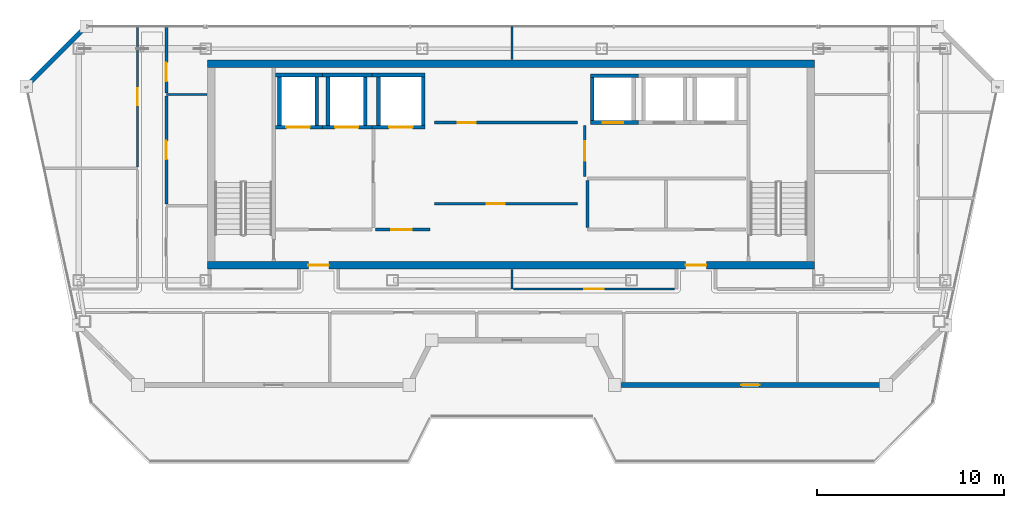
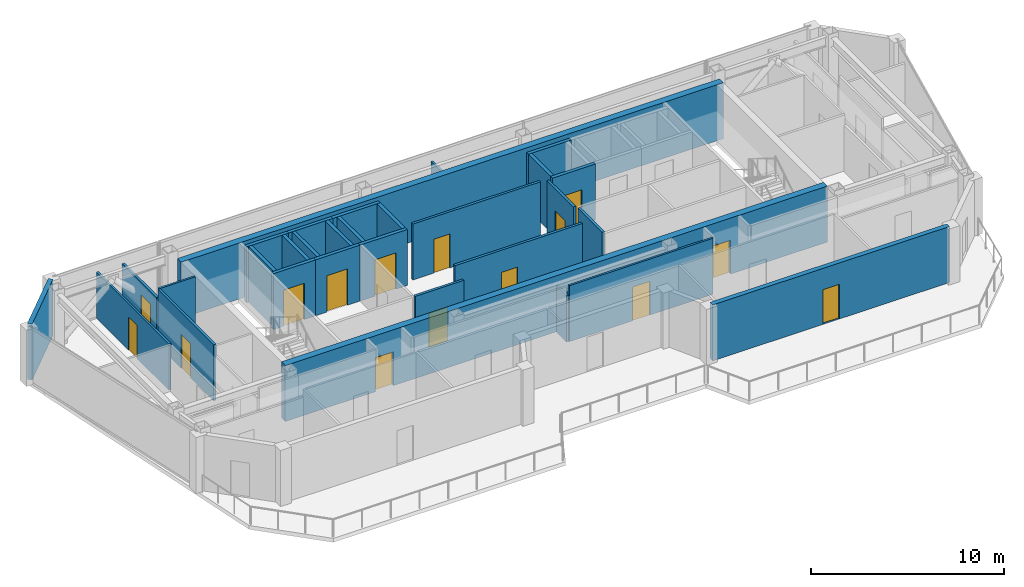
# One storey, part 12 of 17: 31 walls, 15 doors, 15 openings.
"""IFC4 building model written with IfcOpenShell, lengths in metres."""

from ifc_helpers import new_model, si_unit, direction, frame, frame_2d, origin, place, context, subcontext, project, spatial, rectangle, extrude, material, layer, layer_set, type_object, element, fill, save


model = new_model("IFC4")

# Units and contexts
model_context = context("Model", 3, precision=1e-05, world=origin(), true_north=direction((0.0, 1.0)))
body_context = subcontext(model_context, "Body", "Model", "MODEL_VIEW")
ifc_project = project(units=[si_unit("LENGTHUNIT", "METRE"), si_unit("AREAUNIT", "SQUARE_METRE"), si_unit("VOLUMEUNIT", "CUBIC_METRE"), si_unit("PLANEANGLEUNIT", "RADIAN"), si_unit("MASSUNIT", "GRAM", prefix="KILO")], contexts=[model_context])

# Site, building, storey
site_placement = place(None, origin())
site = spatial("IfcSite", under=ifc_project, at=site_placement, CompositionType="ELEMENT")
building_placement = place(site_placement, origin())
building = spatial("IfcBuilding", under=site, at=building_placement, Name="Saevonmaru Cultural Tower", CompositionType="ELEMENT")
storey_placement = place(building_placement, frame((0.0, 0.0, 310.39990234375)))
storey = spatial("IfcBuildingStorey", under=building, at=storey_placement, Name="L74", CompositionType="ELEMENT", Elevation=310.39990234375)

# Wall, openings, doors
ifc_material_1 = material(Name="Concrete C50/60", Category="concrete")
ifc_layer_1 = layer(ifc_material_1, 0.39990234375, Name="Concrete C50/60")
ifc_layer_set_1 = layer_set([ifc_layer_1], Name="Concrete C50/60")
wall_type_1 = type_object("IfcWallType", Name="WL-CORE-400", PredefinedType="SHEAR", material=ifc_layer_set_1)
wall_1_placement = place(storey_placement, frame((13.699951171875, 43.199951171875, 0.0), z_axis=(0.0, 0.0, 1.0), x_axis=(1.0, 0.0, 0.0)))
wall_1 = element("IfcWall", 1, at=wall_1_placement, inside=storey, type_object=wall_type_1, Name="L74 Tower RC core shear wall S", PredefinedType="SHEAR", context=body_context, shape_type="SweptSolid", body=[
    extrude(rectangle(XDim=32.5, YDim=0.39990234375, at=frame_2d((16.25, 0.0))), origin(), (0.0, 0.0, 1.0), 3.550048828125),
])
opening_1_placement = place(wall_1_placement, frame((5.39990234375, 0.0, 0.0)))
opening_1 = element("IfcOpeningElement", 2, at=opening_1_placement, cuts=wall_1, Name="Opening FD-2", PredefinedType="OPENING", context=body_context, shape_type="SweptSolid", body=[
    extrude(rectangle(XDim=1.10009765625, YDim=2.14990234375, at=frame_2d((0.550048828125, 1.074951171875))), frame((0.0, 0.2099609375, 0.0), z_axis=(0.0, -1.0, 0.0), x_axis=(1.0, 0.0, 0.0)), (0.0, 0.0, 1.0), 0.419921875),
])
opening_2_placement = place(wall_1_placement, frame((25.60009765625, 0.0, 0.0)))
opening_2 = element("IfcOpeningElement", 3, at=opening_2_placement, cuts=wall_1, Name="Opening FD-2", PredefinedType="OPENING", context=body_context, shape_type="SweptSolid", body=[
    extrude(rectangle(XDim=1.10009765625, YDim=2.14990234375, at=frame_2d((0.550048828125, 1.074951171875))), frame((0.0, 0.2099609375, 0.0), z_axis=(0.0, -1.0, 0.0), x_axis=(1.0, 0.0, 0.0)), (0.0, 0.0, 1.0), 0.419921875),
])
ifc_material_2 = material(Name="Satin Bronze Anodised Aluminium", Category="aluminium")
door_type_1 = type_object("IfcDoorType", Name="DR-FD60-1100", OperationType="SINGLE_SWING_LEFT", PredefinedType="DOOR", material=ifc_material_2)
door_1_placement = place(opening_1_placement, origin())
door_1 = element("IfcDoor", 4, at=door_1_placement, inside=storey, type_object=door_type_1, Name="L74 Core West Lobby Fire Door", OperationType="SINGLE_SWING_LEFT", OverallHeight=2.14990234375, OverallWidth=1.10009765625, PredefinedType="DOOR", context=body_context, shape_type="SweptSolid", body=[
    extrude(rectangle(XDim=1.10009765625, YDim=2.14990234375, at=frame_2d((0.550048828125, 1.074951171875))), frame((0.0, 0.02490234375, 0.0), z_axis=(0.0, -1.0, 0.0), x_axis=(1.0, 0.0, 0.0)), (0.0, 0.0, 1.0), 0.050048828125),
])
fill(opening_1, door_1)
door_2_placement = place(opening_2_placement, origin())
door_2 = element("IfcDoor", 5, at=door_2_placement, inside=storey, type_object=door_type_1, Name="L74 Core East Lobby Fire Door", OperationType="SINGLE_SWING_LEFT", OverallHeight=2.14990234375, OverallWidth=1.10009765625, PredefinedType="DOOR", context=body_context, shape_type="SweptSolid", body=[
    extrude(rectangle(XDim=1.10009765625, YDim=2.14990234375, at=frame_2d((0.550048828125, 1.074951171875))), frame((0.0, 0.02490234375, 0.0), z_axis=(0.0, -1.0, 0.0), x_axis=(1.0, 0.0, 0.0)), (0.0, 0.0, 1.0), 0.050048828125),
])
fill(opening_2, door_2)

# Wall
wall_2_placement = place(storey_placement, frame((13.699951171875, 54.0, 0.0), z_axis=(0.0, 0.0, 1.0), x_axis=(1.0, 0.0, 0.0)))
element("IfcWall", 6, at=wall_2_placement, inside=storey, type_object=wall_type_1, Name="L74 Tower RC core shear wall N", PredefinedType="SHEAR", context=body_context, shape_type="SweptSolid", body=[
    extrude(rectangle(XDim=32.5, YDim=0.39990234375, at=frame_2d((16.25, 0.0))), origin(), (0.0, 0.0, 1.0), 3.550048828125),
])

# Wall, opening, door
ifc_material_3 = material(Name="Gypsum Fireboard Partition", Category="gypsum")
ifc_layer_2 = layer(ifc_material_3, 0.14990234375, Name="Gypsum Fireboard Partition")
ifc_layer_set_2 = layer_set([ifc_layer_2], Name="Gypsum Fireboard Partition")
wall_type_2 = type_object("IfcWallType", Name="WL-CORE-PART-150", PredefinedType="PARTITIONING", material=ifc_layer_set_2)
wall_3_placement = place(storey_placement, frame((22.679931640625, 45.1201171875, 0.0), z_axis=(0.0, 0.0, 1.0), x_axis=(1.0, 0.0, 0.0)))
wall_3 = element("IfcWall", 7, at=wall_3_placement, inside=storey, type_object=wall_type_2, Name="L74 Service Lift Vestibule Wall", PredefinedType="PARTITIONING", context=body_context, shape_type="SweptSolid", body=[
    extrude(rectangle(XDim=2.920166015625, YDim=0.14990234375, at=frame_2d((1.4599609375, 0.0))), origin(), (0.0, 0.0, 1.0), 3.550048828125),
])
opening_3_placement = place(wall_3_placement, frame((0.85009765625, 0.0, 0.0)))
opening_3 = element("IfcOpeningElement", 8, at=opening_3_placement, cuts=wall_3, Name="Opening FD-2", PredefinedType="OPENING", context=body_context, shape_type="SweptSolid", body=[
    extrude(rectangle(XDim=1.10009765625, YDim=2.14990234375, at=frame_2d((0.550048828125, 1.074951171875))), frame((0.0, 0.0849609375, 0.0), z_axis=(0.0, -1.0, 0.0), x_axis=(1.0, 0.0, 0.0)), (0.0, 0.0, 1.0), 0.169921875),
])
door_3_placement = place(opening_3_placement, origin())
door_3 = element("IfcDoor", 9, at=door_3_placement, inside=storey, type_object=door_type_1, Name="L74 Service Lift Vestibule Door", OperationType="SINGLE_SWING_LEFT", OverallHeight=2.14990234375, OverallWidth=1.10009765625, PredefinedType="DOOR", context=body_context, shape_type="SweptSolid", body=[
    extrude(rectangle(XDim=1.10009765625, YDim=2.14990234375, at=frame_2d((0.550048828125, 1.074951171875))), frame((0.0, 0.02490234375, 0.0), z_axis=(0.0, -1.0, 0.0), x_axis=(1.0, 0.0, 0.0)), (0.0, 0.0, 1.0), 0.050048828125),
])
fill(opening_3, door_3)

wall_4_placement = place(storey_placement, frame((33.89990234375, 47.949951171875, 0.0), z_axis=(0.0, 0.0, 1.0), x_axis=(0.0, 1.0, 0.0)))
wall_4 = element("IfcWall", 10, at=wall_4_placement, inside=storey, type_object=wall_type_2, Name="L74 Zone Lobby Divider", PredefinedType="PARTITIONING", context=body_context, shape_type="SweptSolid", body=[
    extrude(rectangle(XDim=2.75, YDim=0.14990234375, at=frame_2d((1.375, 0.0))), origin(), (0.0, 0.0, 1.0), 3.550048828125),
])
opening_4_placement = place(wall_4_placement, frame((0.85009765625, 0.0, 0.0)))
opening_4 = element("IfcOpeningElement", 11, at=opening_4_placement, cuts=wall_4, Name="Opening ID-1", PredefinedType="OPENING", context=body_context, shape_type="SweptSolid", body=[
    extrude(rectangle(XDim=1.050048828125, YDim=2.14990234375, at=frame_2d((0.52490234375, 1.074951171875))), frame((0.0, 0.0849609375, 0.0), z_axis=(0.0, -1.0, 0.0), x_axis=(1.0, 0.0, 0.0)), (0.0, 0.0, 1.0), 0.169921875),
])
door_type_2 = type_object("IfcDoorType", Name="DR-INT-1050", OperationType="SINGLE_SWING_LEFT", PredefinedType="DOOR", material=ifc_material_2)
door_4_placement = place(opening_4_placement, origin())
door_4 = element("IfcDoor", 12, at=door_4_placement, inside=storey, type_object=door_type_2, Name="L74 Inter-Lobby Link Door", OperationType="SINGLE_SWING_LEFT", OverallHeight=2.14990234375, OverallWidth=1.050048828125, PredefinedType="DOOR", context=body_context, shape_type="SweptSolid", body=[
    extrude(rectangle(XDim=1.050048828125, YDim=2.14990234375, at=frame_2d((0.52490234375, 1.074951171875))), frame((0.0, 0.02490234375, 0.0), z_axis=(0.0, -1.0, 0.0), x_axis=(1.0, 0.0, 0.0)), (0.0, 0.0, 1.0), 0.050048828125),
])
fill(opening_4, door_4)

# Wall
wall_5_placement = place(storey_placement, frame((34.050048828125, 45.219970703125, 0.0), z_axis=(0.0, 0.0, 1.0), x_axis=(0.0, 1.0, 0.0)))
element("IfcWall", 13, at=wall_5_placement, inside=storey, type_object=wall_type_2, Name="L74 Core Plant West Wall", PredefinedType="PARTITIONING", context=body_context, shape_type="SweptSolid", body=[
    extrude(rectangle(XDim=2.530029296875, YDim=0.14990234375, at=frame_2d((1.26513671875, 0.0))), origin(), (0.0, 0.0, 1.0), 3.550048828125),
])

# Wall, opening, door
wall_6_placement = place(storey_placement, frame((25.85009765625, 50.85009765625, 0.0), z_axis=(0.0, 0.0, 1.0), x_axis=(1.0, 0.0, 0.0)))
wall_6 = element("IfcWall", 14, at=wall_6_placement, inside=storey, type_object=wall_type_2, Name="L74 Reclaimed Core Room South Wall", PredefinedType="PARTITIONING", context=body_context, shape_type="SweptSolid", body=[
    extrude(rectangle(XDim=7.64990234375, YDim=0.14990234375, at=frame_2d((3.824951171875, 0.0))), origin(), (0.0, 0.0, 1.0), 3.550048828125),
])
opening_5_placement = place(wall_6_placement, frame((1.25, 0.0, 0.0)))
opening_5 = element("IfcOpeningElement", 15, at=opening_5_placement, cuts=wall_6, Name="Opening FD-4", PredefinedType="OPENING", context=body_context, shape_type="SweptSolid", body=[
    extrude(rectangle(XDim=0.949951171875, YDim=2.14990234375, at=frame_2d((0.47509765625, 1.074951171875))), frame((0.0, 0.0849609375, 0.0), z_axis=(0.0, -1.0, 0.0), x_axis=(1.0, 0.0, 0.0)), (0.0, 0.0, 1.0), 0.169921875),
])
door_type_3 = type_object("IfcDoorType", Name="DR-FD60-950", OperationType="SINGLE_SWING_LEFT", PredefinedType="DOOR", material=ifc_material_2)
door_5_placement = place(opening_5_placement, origin())
door_5 = element("IfcDoor", 16, at=door_5_placement, inside=storey, type_object=door_type_3, Name="L74 Reclaimed Archive Vault Door", OperationType="SINGLE_SWING_LEFT", OverallHeight=2.14990234375, OverallWidth=0.949951171875, PredefinedType="DOOR", context=body_context, shape_type="SweptSolid", body=[
    extrude(rectangle(XDim=0.949951171875, YDim=2.14990234375, at=frame_2d((0.47509765625, 1.074951171875))), frame((0.0, 0.02490234375, 0.0), z_axis=(0.0, -1.0, 0.0), x_axis=(1.0, 0.0, 0.0)), (0.0, 0.0, 1.0), 0.050048828125),
])
fill(opening_5, door_5)

wall_7_placement = place(storey_placement, frame((25.85009765625, 46.5, 0.0), z_axis=(0.0, 0.0, 1.0), x_axis=(1.0, 0.0, 0.0)))
wall_7 = element("IfcWall", 17, at=wall_7_placement, inside=storey, type_object=wall_type_2, Name="L74 Reclaimed Mid-Shaft Wall", PredefinedType="PARTITIONING", context=body_context, shape_type="SweptSolid", body=[
    extrude(rectangle(XDim=7.64990234375, YDim=0.14990234375, at=frame_2d((3.824951171875, 0.0))), origin(), (0.0, 0.0, 1.0), 3.550048828125),
])
opening_6_placement = place(wall_7_placement, frame((2.800048828125, 0.0, 0.0)))
opening_6 = element("IfcOpeningElement", 18, at=opening_6_placement, cuts=wall_7, Name="Opening FD-4", PredefinedType="OPENING", context=body_context, shape_type="SweptSolid", body=[
    extrude(rectangle(XDim=0.949951171875, YDim=2.14990234375, at=frame_2d((0.47509765625, 1.074951171875))), frame((0.0, 0.0849609375, 0.0), z_axis=(0.0, -1.0, 0.0), x_axis=(1.0, 0.0, 0.0)), (0.0, 0.0, 1.0), 0.169921875),
])
door_6_placement = place(opening_6_placement, origin())
door_6 = element("IfcDoor", 19, at=door_6_placement, inside=storey, type_object=door_type_3, Name="L74 Reclaimed Manuscript Storage Door", OperationType="SINGLE_SWING_LEFT", OverallHeight=2.14990234375, OverallWidth=0.949951171875, PredefinedType="DOOR", context=body_context, shape_type="SweptSolid", body=[
    extrude(rectangle(XDim=0.949951171875, YDim=2.14990234375, at=frame_2d((0.47509765625, 1.074951171875))), frame((0.0, 0.02490234375, 0.0), z_axis=(0.0, -1.0, 0.0), x_axis=(1.0, 0.0, 0.0)), (0.0, 0.0, 1.0), 0.050048828125),
])
fill(opening_6, door_6)

# Wall
ifc_material_4 = material(Name="Granite-Clad Precast Concrete C40/50", Category="masonry")
ifc_layer_3 = layer(ifc_material_4, 0.260009765625, Name="Granite-Clad Precast Concrete C40/50")
ifc_layer_set_3 = layer_set([ifc_layer_3], Name="Granite-Clad Precast Concrete C40/50")
wall_type_3 = type_object("IfcWallType", Name="WL-EXT-SPANDREL-260", PredefinedType="STANDARD", material=ifc_layer_set_3)
wall_8_placement = place(storey_placement, frame((7.0869140625, 55.886962890625, 0.0), z_axis=(0.0, 0.0, 1.0), x_axis=(-0.707106781187, -0.707106781187, 0.0)))
element("IfcWall", 20, at=wall_8_placement, inside=storey, type_object=wall_type_3, Name="L74 Chamfer Corner Spandrel Wall E11", PredefinedType="STANDARD", context=body_context, shape_type="SweptSolid", body=[
    extrude(rectangle(XDim=4.205810546875, YDim=0.260009765625, at=frame_2d((2.10302734375, 0.0))), origin(), (0.0, 0.0, 1.0), 3.550048828125),
])

# Wall, opening, door
ifc_layer_4 = layer(ifc_material_4, 0.280029296875, Name="Granite-Clad Precast Concrete C40/50")
ifc_layer_set_4 = layer_set([ifc_layer_4], Name="Granite-Clad Precast Concrete C40/50")
wall_type_4 = type_object("IfcWallType", Name="WL-EXT-SPANDREL-280", PredefinedType="STANDARD", material=ifc_layer_set_4)
wall_9_placement = place(storey_placement, frame((35.659912109375, 36.800048828125, 0.0), z_axis=(0.0, 0.0, 1.0), x_axis=(1.0, 0.0, 0.0)))
wall_9 = element("IfcWall", 21, at=wall_9_placement, inside=storey, type_object=wall_type_4, Name="L74 Setback Terrace Portal Wall E6", PredefinedType="STANDARD", context=body_context, shape_type="SweptSolid", body=[
    extrude(rectangle(XDim=14.206787109375, YDim=0.280029296875, at=frame_2d((7.103515625, 0.0))), origin(), (0.0, 0.0, 1.0), 3.550048828125),
])
opening_7_placement = place(wall_9_placement, frame((6.60302734375, 0.0, 0.0)))
opening_7 = element("IfcOpeningElement", 22, at=opening_7_placement, cuts=wall_9, Name="Opening TD-2", PredefinedType="OPENING", context=body_context, shape_type="SweptSolid", body=[
    extrude(rectangle(XDim=1.0, YDim=2.199951171875, at=frame_2d((0.5, 1.10009765625))), frame((0.0, 0.14990234375, 0.0), z_axis=(0.0, -1.0, 0.0), x_axis=(1.0, 0.0, 0.0)), (0.0, 0.0, 1.0), 0.300048828125),
])
door_type_4 = type_object("IfcDoorType", Name="DR-TERR-1000", OperationType="SINGLE_SWING_RIGHT", PredefinedType="DOOR", material=ifc_material_2)
door_7_placement = place(opening_7_placement, origin())
door_7 = element("IfcDoor", 23, at=door_7_placement, inside=storey, type_object=door_type_4, Name="L74 Sawtooth Roof Terrace Door E6", OperationType="SINGLE_SWING_RIGHT", OverallHeight=2.199951171875, OverallWidth=1.0, PredefinedType="DOOR", context=body_context, shape_type="SweptSolid", body=[
    extrude(rectangle(XDim=1.0, YDim=2.199951171875, at=frame_2d((0.5, 1.10009765625))), frame((0.0, 0.02490234375, 0.0), z_axis=(0.0, -1.0, 0.0), x_axis=(1.0, 0.0, 0.0)), (0.0, 0.0, 1.0), 0.050048828125),
])
fill(opening_7, door_7)

ifc_layer_5 = layer(ifc_material_3, 0.14990234375, Name="Gypsum Fireboard Partition")
ifc_layer_set_5 = layer_set([ifc_layer_5], Name="Gypsum Fireboard Partition")
wall_type_5 = type_object("IfcWallType", Name="WL-PART-FIRE-150", PredefinedType="PARTITIONING", material=ifc_layer_set_5)
wall_10_placement = place(storey_placement, frame((11.5, 52.429931640625, 0.0), z_axis=(0.0, 0.0, 1.0), x_axis=(0.0, 1.0, 0.0)))
wall_10 = element("IfcWall", 24, at=wall_10_placement, inside=storey, type_object=wall_type_5, Name="L74 Media Screening Auditorium Corridor Wall", PredefinedType="PARTITIONING", context=body_context, shape_type="SweptSolid", body=[
    extrude(rectangle(XDim=3.565185546875, YDim=0.14990234375, at=frame_2d((1.78271484375, 0.0))), origin(), (0.0, 0.0, 1.0), 2.93505859375),
])
opening_8_placement = place(wall_10_placement, frame((0.6220703125, 0.0, 0.0)))
opening_8 = element("IfcOpeningElement", 25, at=opening_8_placement, cuts=wall_10, Name="Opening ID-1B", PredefinedType="OPENING", context=body_context, shape_type="SweptSolid", body=[
    extrude(rectangle(XDim=1.0, YDim=2.14990234375, at=frame_2d((0.5, 1.074951171875))), frame((0.0, 0.0849609375, 0.0), z_axis=(0.0, -1.0, 0.0), x_axis=(1.0, 0.0, 0.0)), (0.0, 0.0, 1.0), 0.169921875),
])
ifc_material_5 = material(Name="Acoustic Stained Oak Timber", Category="wood")
door_type_5 = type_object("IfcDoorType", Name="DR-INT-1000", OperationType="SINGLE_SWING_RIGHT", PredefinedType="DOOR", material=ifc_material_5)
door_8_placement = place(opening_8_placement, origin())
door_8 = element("IfcDoor", 26, at=door_8_placement, inside=storey, type_object=door_type_5, Name="L74 Media Screening Auditorium Door", OperationType="SINGLE_SWING_LEFT", OverallHeight=2.14990234375, OverallWidth=1.0, PredefinedType="DOOR", context=body_context, shape_type="SweptSolid", body=[
    extrude(rectangle(XDim=1.0, YDim=2.14990234375, at=frame_2d((0.5, 1.074951171875))), frame((0.0, 0.02490234375, 0.0), z_axis=(0.0, -1.0, 0.0), x_axis=(1.0, 0.0, 0.0)), (0.0, 0.0, 1.0), 0.050048828125),
])
fill(opening_8, door_8)

wall_11_placement = place(storey_placement, frame((11.5, 46.47998046875, 0.0), z_axis=(0.0, 0.0, 1.0), x_axis=(0.0, 1.0, 0.0)))
wall_11 = element("IfcWall", 27, at=wall_11_placement, inside=storey, type_object=wall_type_5, Name="L74 Media Screening Auditorium Corridor Wall", PredefinedType="PARTITIONING", context=body_context, shape_type="SweptSolid", body=[
    extrude(rectangle(XDim=5.7900390625, YDim=0.14990234375, at=frame_2d((2.89501953125, 0.0))), origin(), (0.0, 0.0, 1.0), 3.550048828125),
])
opening_9_placement = place(wall_11_placement, frame((2.39501953125, 0.0, 0.0)))
opening_9 = element("IfcOpeningElement", 28, at=opening_9_placement, cuts=wall_11, Name="Opening ID-1B", PredefinedType="OPENING", context=body_context, shape_type="SweptSolid", body=[
    extrude(rectangle(XDim=1.0, YDim=2.14990234375, at=frame_2d((0.5, 1.074951171875))), frame((0.0, 0.0849609375, 0.0), z_axis=(0.0, -1.0, 0.0), x_axis=(1.0, 0.0, 0.0)), (0.0, 0.0, 1.0), 0.169921875),
])
door_9_placement = place(opening_9_placement, origin())
door_9 = element("IfcDoor", 29, at=door_9_placement, inside=storey, type_object=door_type_5, Name="L74 Media Screening Auditorium Door", OperationType="SINGLE_SWING_LEFT", OverallHeight=2.14990234375, OverallWidth=1.0, PredefinedType="DOOR", context=body_context, shape_type="SweptSolid", body=[
    extrude(rectangle(XDim=1.0, YDim=2.14990234375, at=frame_2d((0.5, 1.074951171875))), frame((0.0, 0.02490234375, 0.0), z_axis=(0.0, -1.0, 0.0), x_axis=(1.0, 0.0, 0.0)), (0.0, 0.0, 1.0), 0.050048828125),
])
fill(opening_9, door_9)

# Walls
ifc_layer_6 = layer(ifc_material_3, 0.1201171875, Name="Gypsum Fireboard Partition")
ifc_layer_set_6 = layer_set([ifc_layer_6], Name="Gypsum Fireboard Partition")
wall_type_6 = type_object("IfcWallType", Name="WL-PART-GYP-120", PredefinedType="PARTITIONING", material=ifc_layer_set_6)
wall_12_placement = place(storey_placement, frame((11.5, 52.35009765625, 0.0), z_axis=(0.0, 0.0, 1.0), x_axis=(1.0, 0.0, 0.0)))
element("IfcWall", 30, at=wall_12_placement, inside=storey, type_object=wall_type_6, Name="L74 North-West Panorama South Wall", PredefinedType="PARTITIONING", context=body_context, shape_type="SweptSolid", body=[
    extrude(rectangle(XDim=2.179931640625, YDim=0.1201171875, at=frame_2d((1.08984375, 0.0))), origin(), (0.0, 0.0, 1.0), 3.550048828125),
])
wall_13_placement = place(storey_placement, frame((30.0, 54.219970703125, 0.0), z_axis=(0.0, 0.0, 1.0), x_axis=(0.0, 1.0, 0.0)))
element("IfcWall", 31, at=wall_13_placement, inside=storey, type_object=wall_type_6, Name="L74 North Panorama Center Split", PredefinedType="PARTITIONING", context=body_context, shape_type="SweptSolid", body=[
    extrude(rectangle(XDim=1.775146484375, YDim=0.1201171875, at=frame_2d((0.8876953125, 0.0))), origin(), (0.0, 0.0, 1.0), 2.93505859375),
])

# Wall, opening, door
wall_14_placement = place(storey_placement, frame((9.949951171875, 48.47998046875, 0.0), z_axis=(0.0, 0.0, 1.0), x_axis=(0.0, 1.0, 0.0)))
wall_14 = element("IfcWall", 32, at=wall_14_placement, inside=storey, type_object=wall_type_6, Name="L74 Design Seminar Classroom Corridor Wall", PredefinedType="PARTITIONING", context=body_context, shape_type="SweptSolid", body=[
    extrude(rectangle(XDim=7.51513671875, YDim=0.1201171875, at=frame_2d((3.757568359375, 0.0))), origin(), (0.0, 0.0, 1.0), 2.93505859375),
])
opening_10_placement = place(wall_14_placement, frame((3.30810546875, 0.0, 0.0)))
opening_10 = element("IfcOpeningElement", 33, at=opening_10_placement, cuts=wall_14, Name="Opening ID-2", PredefinedType="OPENING", context=body_context, shape_type="SweptSolid", body=[
    extrude(rectangle(XDim=0.89990234375, YDim=2.10009765625, at=frame_2d((0.449951171875, 1.050048828125))), frame((0.0, 0.070068359375, 0.0), z_axis=(0.0, -1.0, 0.0), x_axis=(1.0, 0.0, 0.0)), (0.0, 0.0, 1.0), 0.14013671875),
])
door_type_6 = type_object("IfcDoorType", Name="DR-INT-900", OperationType="SINGLE_SWING_RIGHT", PredefinedType="DOOR", material=ifc_material_5)
door_10_placement = place(opening_10_placement, origin())
door_10 = element("IfcDoor", 34, at=door_10_placement, inside=storey, type_object=door_type_6, Name="L74 Design Seminar Classroom Door", OperationType="SINGLE_SWING_LEFT", OverallHeight=2.10009765625, OverallWidth=0.89990234375, PredefinedType="DOOR", context=body_context, shape_type="SweptSolid", body=[
    extrude(rectangle(XDim=0.89990234375, YDim=2.10009765625, at=frame_2d((0.449951171875, 1.050048828125))), frame((0.0, 0.02490234375, 0.0), z_axis=(0.0, -1.0, 0.0), x_axis=(1.0, 0.0, 0.0)), (0.0, 0.0, 1.0), 0.050048828125),
])
fill(opening_10, door_10)

# Wall
wall_15_placement = place(storey_placement, frame((30.0, 41.93994140625, 0.0), z_axis=(0.0, 0.0, 1.0), x_axis=(0.0, 1.0, 0.0)))
element("IfcWall", 35, at=wall_15_placement, inside=storey, type_object=wall_type_6, Name="L74 Spine Alcove Split", PredefinedType="PARTITIONING", context=body_context, shape_type="SweptSolid", body=[
    extrude(rectangle(XDim=1.0400390625, YDim=0.1201171875, at=frame_2d((0.52001953125, 0.0))), origin(), (0.0, 0.0, 1.0), 2.947021484375),
])

# Wall, opening, door
wall_16_placement = place(storey_placement, frame((30.080078125, 41.93994140625, 0.0), z_axis=(0.0, 0.0, 1.0), x_axis=(1.0, 0.0, 0.0)))
wall_16 = element("IfcWall", 36, at=wall_16_placement, inside=storey, type_object=wall_type_6, Name="L74 Cartographic Study Library Corridor Wall", PredefinedType="PARTITIONING", context=body_context, shape_type="SweptSolid", body=[
    extrude(rectangle(XDim=8.625, YDim=0.1201171875, at=frame_2d((4.3125, 0.0))), origin(), (0.0, 0.0, 1.0), 3.550048828125),
])
opening_11_placement = place(wall_16_placement, frame((3.7880859375, 0.0, 0.0)))
opening_11 = element("IfcOpeningElement", 37, at=opening_11_placement, cuts=wall_16, Name="Opening ID-1", PredefinedType="OPENING", context=body_context, shape_type="SweptSolid", body=[
    extrude(rectangle(XDim=1.050048828125, YDim=2.14990234375, at=frame_2d((0.52490234375, 1.074951171875))), frame((0.0, 0.070068359375, 0.0), z_axis=(0.0, -1.0, 0.0), x_axis=(1.0, 0.0, 0.0)), (0.0, 0.0, 1.0), 0.14013671875),
])
door_11_placement = place(opening_11_placement, origin())
door_11 = element("IfcDoor", 38, at=door_11_placement, inside=storey, type_object=door_type_2, Name="L74 Cartographic Study Library Door", OperationType="SINGLE_SWING_LEFT", OverallHeight=2.14990234375, OverallWidth=1.050048828125, PredefinedType="DOOR", context=body_context, shape_type="SweptSolid", body=[
    extrude(rectangle(XDim=1.050048828125, YDim=2.14990234375, at=frame_2d((0.52490234375, 1.074951171875))), frame((0.0, 0.02490234375, 0.0), z_axis=(0.0, -1.0, 0.0), x_axis=(1.0, 0.0, 0.0)), (0.0, 0.0, 1.0), 0.050048828125),
])
fill(opening_11, door_11)

ifc_material_6 = material(Name="Concrete C40/50", Category="concrete")
ifc_layer_7 = layer(ifc_material_6, 0.199951171875, Name="Concrete C40/50")
ifc_layer_set_7 = layer_set([ifc_layer_7], Name="Concrete C40/50")
wall_type_7 = type_object("IfcWallType", Name="WL-SHAFT-200", PredefinedType="SHEAR", material=ifc_layer_set_7)
wall_17_placement = place(storey_placement, frame((17.330078125, 50.60009765625, 0.0), z_axis=(0.0, 0.0, 1.0), x_axis=(1.0, 0.0, 0.0)))
wall_17 = element("IfcWall", 39, at=wall_17_placement, inside=storey, type_object=wall_type_7, Name="L74 Lift FFL-1 Hoistway Wall S", PredefinedType="SHEAR", context=body_context, shape_type="SweptSolid", body=[
    extrude(rectangle(XDim=2.52001953125, YDim=0.199951171875, at=frame_2d((1.260009765625, 0.0))), origin(), (0.0, 0.0, 1.0), 3.550048828125),
])
opening_12_placement = place(wall_17_placement, frame((0.594970703125, 0.0, 0.0)))
opening_12 = element("IfcOpeningElement", 40, at=opening_12_placement, cuts=wall_17, Name="Opening LD-2", PredefinedType="OPENING", context=body_context, shape_type="SweptSolid", body=[
    extrude(rectangle(XDim=1.25, YDim=2.300048828125, at=frame_2d((0.625, 1.14990234375))), frame((0.0, 0.10986328125, 0.0), z_axis=(0.0, -1.0, 0.0), x_axis=(1.0, 0.0, 0.0)), (0.0, 0.0, 1.0), 0.219970703125),
])
ifc_material_7 = material(Name="Stainless Steel 316", Category="steel")
door_type_7 = type_object("IfcDoorType", Name="DR-LIFT-1250", OperationType="SLIDING_TO_LEFT", PredefinedType="DOOR", material=ifc_material_7)
door_12_placement = place(opening_12_placement, origin())
door_12 = element("IfcDoor", 41, at=door_12_placement, inside=storey, type_object=door_type_7, Name="L74 Lift FFL-1 Sliding Landing Door", OperationType="SLIDING_TO_LEFT", OverallHeight=2.300048828125, OverallWidth=1.25, PredefinedType="DOOR", context=body_context, shape_type="SweptSolid", body=[
    extrude(rectangle(XDim=1.25, YDim=2.300048828125, at=frame_2d((0.625, 1.14990234375))), frame((0.0, 0.02490234375, 0.0), z_axis=(0.0, -1.0, 0.0), x_axis=(1.0, 0.0, 0.0)), (0.0, 0.0, 1.0), 0.050048828125),
])
fill(opening_12, door_12)

# Walls
wall_18_placement = place(storey_placement, frame((17.330078125, 53.39990234375, 0.0), z_axis=(0.0, 0.0, 1.0), x_axis=(1.0, 0.0, 0.0)))
element("IfcWall", 42, at=wall_18_placement, inside=storey, type_object=wall_type_7, Name="L74 Lift FFL-1 Hoistway Wall N", PredefinedType="SHEAR", context=body_context, shape_type="SweptSolid", body=[
    extrude(rectangle(XDim=2.52001953125, YDim=0.199951171875, at=frame_2d((1.260009765625, 0.0))), origin(), (0.0, 0.0, 1.0), 3.550048828125),
])
for number, where, z_axis, x_axis, name in (
    (43, (17.550048828125, 50.699951171875, 0.0), (0.0, 0.0, 1.0), (0.0, 1.0, 0.0), "L74 Lift FFL-1 Hoistway Wall W"),
    (44, (19.550048828125, 50.699951171875, 0.0), (0.0, 0.0, 1.0), (0.0, 1.0, 0.0), "L74 Lift FFL-1 Hoistway Wall E"),
):
    element("IfcWall", number, at=place(storey_placement, frame(where, z_axis=z_axis, x_axis=x_axis)), inside=storey, type_object=wall_type_7, Name=name, PredefinedType="SHEAR", context=body_context, shape_type="SweptSolid", body=[
        extrude(rectangle(XDim=2.60009765625, YDim=0.199951171875, at=frame_2d((1.300048828125, 0.0))), origin(), (0.0, 0.0, 1.0), 3.550048828125),
    ])

# Wall, opening, door
wall_19_placement = place(storey_placement, frame((19.85009765625, 50.60009765625, 0.0), z_axis=(0.0, 0.0, 1.0), x_axis=(1.0, 0.0, 0.0)))
wall_19 = element("IfcWall", 45, at=wall_19_placement, inside=storey, type_object=wall_type_7, Name="L74 Lift FFL-2 Hoistway Wall S", PredefinedType="SHEAR", context=body_context, shape_type="SweptSolid", body=[
    extrude(rectangle(XDim=2.64990234375, YDim=0.199951171875, at=frame_2d((1.324951171875, 0.0))), origin(), (0.0, 0.0, 1.0), 3.550048828125),
])
opening_13_placement = place(wall_19_placement, frame((0.675048828125, 0.0, 0.0)))
opening_13 = element("IfcOpeningElement", 46, at=opening_13_placement, cuts=wall_19, Name="Opening LD-2", PredefinedType="OPENING", context=body_context, shape_type="SweptSolid", body=[
    extrude(rectangle(XDim=1.25, YDim=2.300048828125, at=frame_2d((0.625, 1.14990234375))), frame((0.0, 0.10986328125, 0.0), z_axis=(0.0, -1.0, 0.0), x_axis=(1.0, 0.0, 0.0)), (0.0, 0.0, 1.0), 0.219970703125),
])
door_13_placement = place(opening_13_placement, origin())
door_13 = element("IfcDoor", 47, at=door_13_placement, inside=storey, type_object=door_type_7, Name="L74 Lift FFL-2 Sliding Landing Door", OperationType="SLIDING_TO_LEFT", OverallHeight=2.300048828125, OverallWidth=1.25, PredefinedType="DOOR", context=body_context, shape_type="SweptSolid", body=[
    extrude(rectangle(XDim=1.25, YDim=2.300048828125, at=frame_2d((0.625, 1.14990234375))), frame((0.0, 0.02490234375, 0.0), z_axis=(0.0, -1.0, 0.0), x_axis=(1.0, 0.0, 0.0)), (0.0, 0.0, 1.0), 0.050048828125),
])
fill(opening_13, door_13)

# Walls
wall_20_placement = place(storey_placement, frame((19.85009765625, 53.39990234375, 0.0), z_axis=(0.0, 0.0, 1.0), x_axis=(1.0, 0.0, 0.0)))
element("IfcWall", 48, at=wall_20_placement, inside=storey, type_object=wall_type_7, Name="L74 Lift FFL-2 Hoistway Wall N", PredefinedType="SHEAR", context=body_context, shape_type="SweptSolid", body=[
    extrude(rectangle(XDim=2.64990234375, YDim=0.199951171875, at=frame_2d((1.324951171875, 0.0))), origin(), (0.0, 0.0, 1.0), 3.550048828125),
])
for number, where, z_axis, x_axis, name in (
    (49, (20.14990234375, 50.699951171875, 0.0), (0.0, 0.0, 1.0), (0.0, 1.0, 0.0), "L74 Lift FFL-2 Hoistway Wall W"),
    (50, (22.14990234375, 50.699951171875, 0.0), (0.0, 0.0, 1.0), (0.0, 1.0, 0.0), "L74 Lift FFL-2 Hoistway Wall E"),
):
    element("IfcWall", number, at=place(storey_placement, frame(where, z_axis=z_axis, x_axis=x_axis)), inside=storey, type_object=wall_type_7, Name=name, PredefinedType="SHEAR", context=body_context, shape_type="SweptSolid", body=[
        extrude(rectangle(XDim=2.60009765625, YDim=0.199951171875, at=frame_2d((1.300048828125, 0.0))), origin(), (0.0, 0.0, 1.0), 3.550048828125),
    ])

# Wall, opening, door
wall_21_placement = place(storey_placement, frame((22.5, 50.60009765625, 0.0), z_axis=(0.0, 0.0, 1.0), x_axis=(1.0, 0.0, 0.0)))
wall_21 = element("IfcWall", 51, at=wall_21_placement, inside=storey, type_object=wall_type_7, Name="L74 Lift GL-1 Hoistway Wall S", PredefinedType="SHEAR", context=body_context, shape_type="SweptSolid", body=[
    extrude(rectangle(XDim=2.85009765625, YDim=0.199951171875, at=frame_2d((1.425048828125, 0.0))), origin(), (0.0, 0.0, 1.0), 3.550048828125),
])
opening_14_placement = place(wall_21_placement, frame((0.925048828125, 0.0, 0.0)))
opening_14 = element("IfcOpeningElement", 52, at=opening_14_placement, cuts=wall_21, Name="Opening LD-2", PredefinedType="OPENING", context=body_context, shape_type="SweptSolid", body=[
    extrude(rectangle(XDim=1.25, YDim=2.300048828125, at=frame_2d((0.625, 1.14990234375))), frame((0.0, 0.10986328125, 0.0), z_axis=(0.0, -1.0, 0.0), x_axis=(1.0, 0.0, 0.0)), (0.0, 0.0, 1.0), 0.219970703125),
])
door_14_placement = place(opening_14_placement, origin())
door_14 = element("IfcDoor", 53, at=door_14_placement, inside=storey, type_object=door_type_7, Name="L74 Lift GL-1 Sliding Landing Door", OperationType="SLIDING_TO_LEFT", OverallHeight=2.300048828125, OverallWidth=1.25, PredefinedType="DOOR", context=body_context, shape_type="SweptSolid", body=[
    extrude(rectangle(XDim=1.25, YDim=2.300048828125, at=frame_2d((0.625, 1.14990234375))), frame((0.0, 0.02490234375, 0.0), z_axis=(0.0, -1.0, 0.0), x_axis=(1.0, 0.0, 0.0)), (0.0, 0.0, 1.0), 0.050048828125),
])
fill(opening_14, door_14)

# Walls
wall_22_placement = place(storey_placement, frame((22.5, 53.39990234375, 0.0), z_axis=(0.0, 0.0, 1.0), x_axis=(1.0, 0.0, 0.0)))
element("IfcWall", 54, at=wall_22_placement, inside=storey, type_object=wall_type_7, Name="L74 Lift GL-1 Hoistway Wall N", PredefinedType="SHEAR", context=body_context, shape_type="SweptSolid", body=[
    extrude(rectangle(XDim=2.85009765625, YDim=0.199951171875, at=frame_2d((1.425048828125, 0.0))), origin(), (0.0, 0.0, 1.0), 3.550048828125),
])
for number, where, z_axis, x_axis, name in (
    (55, (22.85009765625, 50.699951171875, 0.0), (0.0, 0.0, 1.0), (0.0, 1.0, 0.0), "L74 Lift GL-1 Hoistway Wall W"),
    (56, (25.25, 50.699951171875, 0.0), (0.0, 0.0, 1.0), (0.0, 1.0, 0.0), "L74 Lift GL-1 Hoistway Wall E"),
):
    element("IfcWall", number, at=place(storey_placement, frame(where, z_axis=z_axis, x_axis=x_axis)), inside=storey, type_object=wall_type_7, Name=name, PredefinedType="SHEAR", context=body_context, shape_type="SweptSolid", body=[
        extrude(rectangle(XDim=2.60009765625, YDim=0.199951171875, at=frame_2d((1.300048828125, 0.0))), origin(), (0.0, 0.0, 1.0), 3.550048828125),
    ])

# Wall, opening, door
wall_23_placement = place(storey_placement, frame((34.199951171875, 50.85009765625, 0.0), z_axis=(0.0, 0.0, 1.0), x_axis=(1.0, 0.0, 0.0)))
wall_23 = element("IfcWall", 57, at=wall_23_placement, inside=storey, type_object=wall_type_7, Name="L74 Lift PL-H1 Hoistway Wall S", PredefinedType="SHEAR", context=body_context, shape_type="SweptSolid", body=[
    extrude(rectangle(XDim=2.574951171875, YDim=0.199951171875, at=frame_2d((1.28759765625, 0.0))), origin(), (0.0, 0.0, 1.0), 3.550048828125),
])
opening_15_placement = place(wall_23_placement, frame((0.64990234375, 0.0, 0.0)))
opening_15 = element("IfcOpeningElement", 58, at=opening_15_placement, cuts=wall_23, Name="Opening LD-1", PredefinedType="OPENING", context=body_context, shape_type="SweptSolid", body=[
    extrude(rectangle(XDim=1.10009765625, YDim=2.199951171875, at=frame_2d((0.550048828125, 1.10009765625))), frame((0.0, 0.10986328125, 0.0), z_axis=(0.0, -1.0, 0.0), x_axis=(1.0, 0.0, 0.0)), (0.0, 0.0, 1.0), 0.219970703125),
])
ifc_material_8 = material(Name="Satin Bronze Stainless Steel", Category="steel")
door_type_8 = type_object("IfcDoorType", Name="DR-LIFT-1100", OperationType="SLIDING_TO_LEFT", PredefinedType="DOOR", material=ifc_material_8)
door_15_placement = place(opening_15_placement, origin())
door_15 = element("IfcDoor", 59, at=door_15_placement, inside=storey, type_object=door_type_8, Name="L74 Lift PL-H1 Sliding Landing Door", OperationType="SLIDING_TO_LEFT", OverallHeight=2.199951171875, OverallWidth=1.10009765625, PredefinedType="DOOR", context=body_context, shape_type="SweptSolid", body=[
    extrude(rectangle(XDim=1.10009765625, YDim=2.199951171875, at=frame_2d((0.550048828125, 1.10009765625))), frame((0.0, 0.02490234375, 0.0), z_axis=(0.0, -1.0, 0.0), x_axis=(1.0, 0.0, 0.0)), (0.0, 0.0, 1.0), 0.050048828125),
])
fill(opening_15, door_15)

# Walls
wall_24_placement = place(storey_placement, frame((34.199951171875, 53.35009765625, 0.0), z_axis=(0.0, 0.0, 1.0), x_axis=(1.0, 0.0, 0.0)))
element("IfcWall", 60, at=wall_24_placement, inside=storey, type_object=wall_type_7, Name="L74 Lift PL-H1 Hoistway Wall N", PredefinedType="SHEAR", context=body_context, shape_type="SweptSolid", body=[
    extrude(rectangle(XDim=2.574951171875, YDim=0.199951171875, at=frame_2d((1.28759765625, 0.0))), origin(), (0.0, 0.0, 1.0), 3.550048828125),
])
wall_25_placement = place(storey_placement, frame((34.300048828125, 50.949951171875, 0.0), z_axis=(0.0, 0.0, 1.0), x_axis=(0.0, 1.0, 0.0)))
element("IfcWall", 61, at=wall_25_placement, inside=storey, type_object=wall_type_7, Name="L74 Lift PL-H1 Hoistway Wall W", PredefinedType="SHEAR", context=body_context, shape_type="SweptSolid", body=[
    extrude(rectangle(XDim=2.300048828125, YDim=0.199951171875, at=frame_2d((1.14990234375, 0.0))), origin(), (0.0, 0.0, 1.0), 3.550048828125),
])

save(model, "model.ifc")
